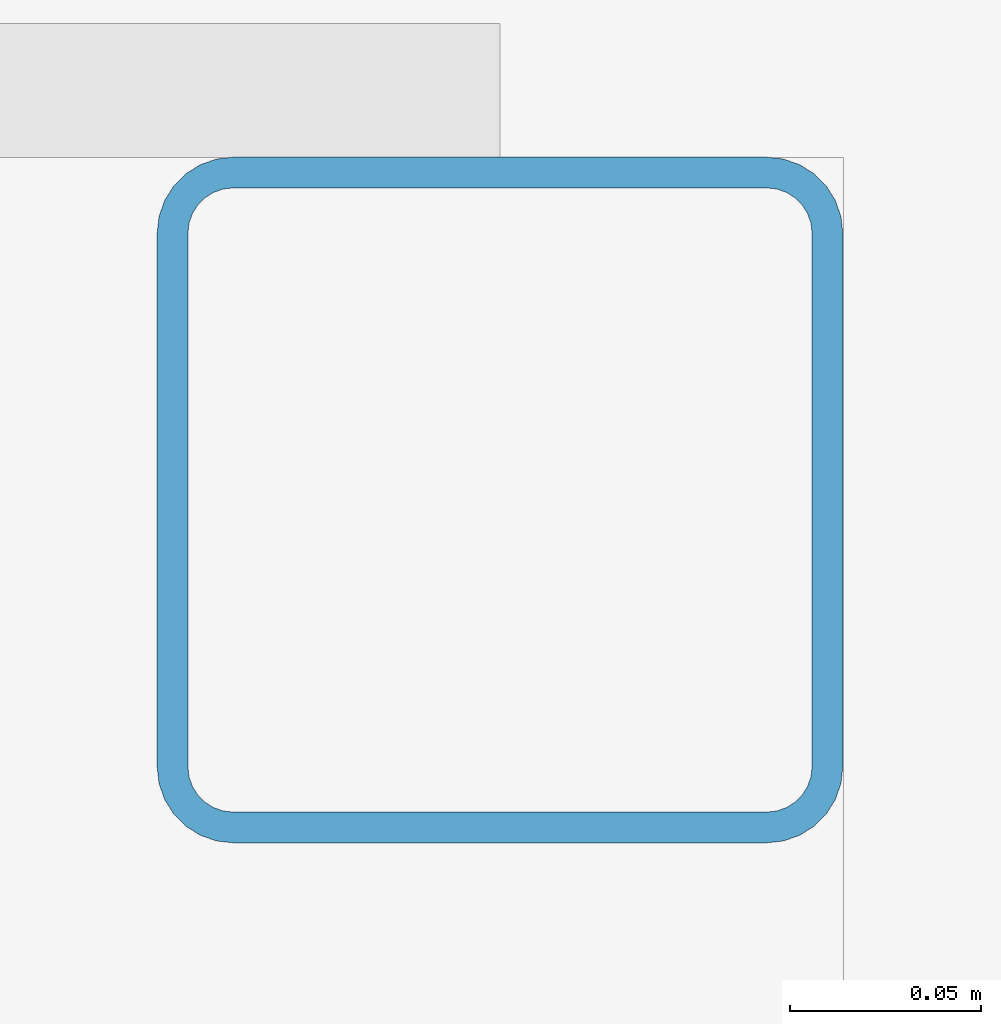
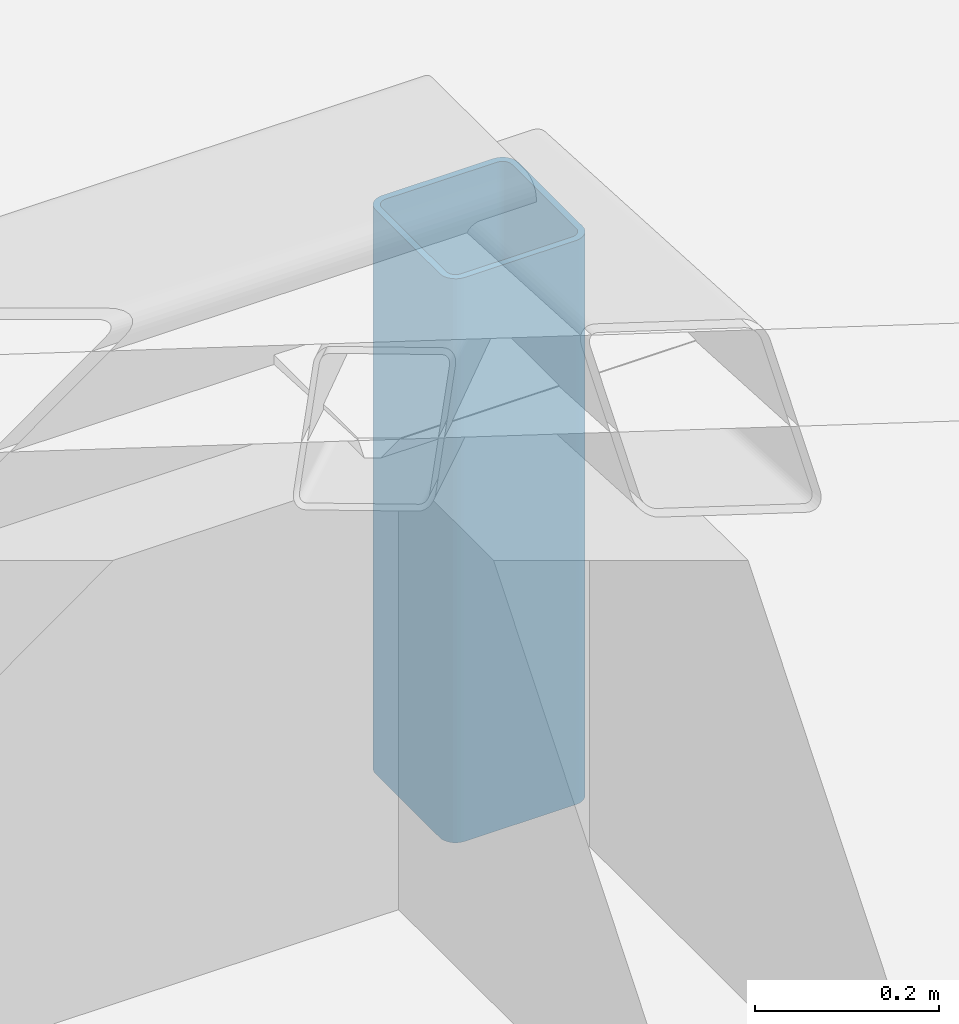
# One storey, part 12 of 15: 1 member.
"""IFC4 building model written with IfcOpenShell, lengths in metres."""

from ifc_helpers import new_model, si_unit, direction, frame, origin, origin_2d, place, context, subcontext, project, spatial, hollow_rectangle, extrude, material, material_profile, profile_set, type_object, element, save


model = new_model("IFC4")

# Units and contexts
model_context = context("Model", 3, precision=1e-05, world=origin(), true_north=direction((0.0, 1.0)))
body_context = subcontext(model_context, "Body", "Model", "MODEL_VIEW")
ifc_project = project(units=[si_unit("LENGTHUNIT", "METRE"), si_unit("AREAUNIT", "SQUARE_METRE"), si_unit("VOLUMEUNIT", "CUBIC_METRE"), si_unit("PLANEANGLEUNIT", "RADIAN"), si_unit("MASSUNIT", "GRAM", prefix="KILO")], contexts=[model_context])

# Site, building, storey
site_placement = place(None, origin())
site = spatial("IfcSite", under=ifc_project, at=site_placement, CompositionType="ELEMENT")
building_placement = place(site_placement, origin())
building = spatial("IfcBuilding", under=site, at=building_placement, Name="Kavelor Marine Aquarium", CompositionType="ELEMENT")
storey_placement = place(building_placement, frame((0.0, 0.0, 25.56005859375)))
storey = spatial("IfcBuildingStorey", under=building, at=storey_placement, Name="RF", CompositionType="ELEMENT", Elevation=25.56005859375)

# Member
ifc_material = material(Name="Steel S355", Category="steel")
ifc_material_profile = material_profile(ifc_material, hollow_rectangle(XDim=0.179931640625, YDim=0.179931640625, WallThickness=0.008056640625, InnerFilletRadius=0.011962890625, OuterFilletRadius=0.02001953125, at=origin_2d()), Name="SHS 180x180x8.0")
ifc_profile_set = profile_set([ifc_material_profile], Name="Steel S355")
member_type = type_object("IfcMemberType", Name="ST-PV2", PredefinedType="CHORD", material=ifc_profile_set)
member_placement = place(storey_placement, frame((147.199951171875, 103.60009765625, 0.0), z_axis=(0.0, 0.0, 1.0), x_axis=(1.0, 0.0, 0.0)))
element("IfcMember", 1, at=member_placement, inside=storey, type_object=member_type, Name="pv:p:20_14", PredefinedType="CHORD", context=body_context, shape_type="SweptSolid", body=[
    extrude(hollow_rectangle(XDim=0.179931640625, YDim=0.179931640625, WallThickness=0.008056640625, InnerFilletRadius=0.011962890625, OuterFilletRadius=0.02001953125, at=origin_2d()), origin(), (0.0, 0.0, 1.0), 0.75),
])

save(model, "model.ifc")
